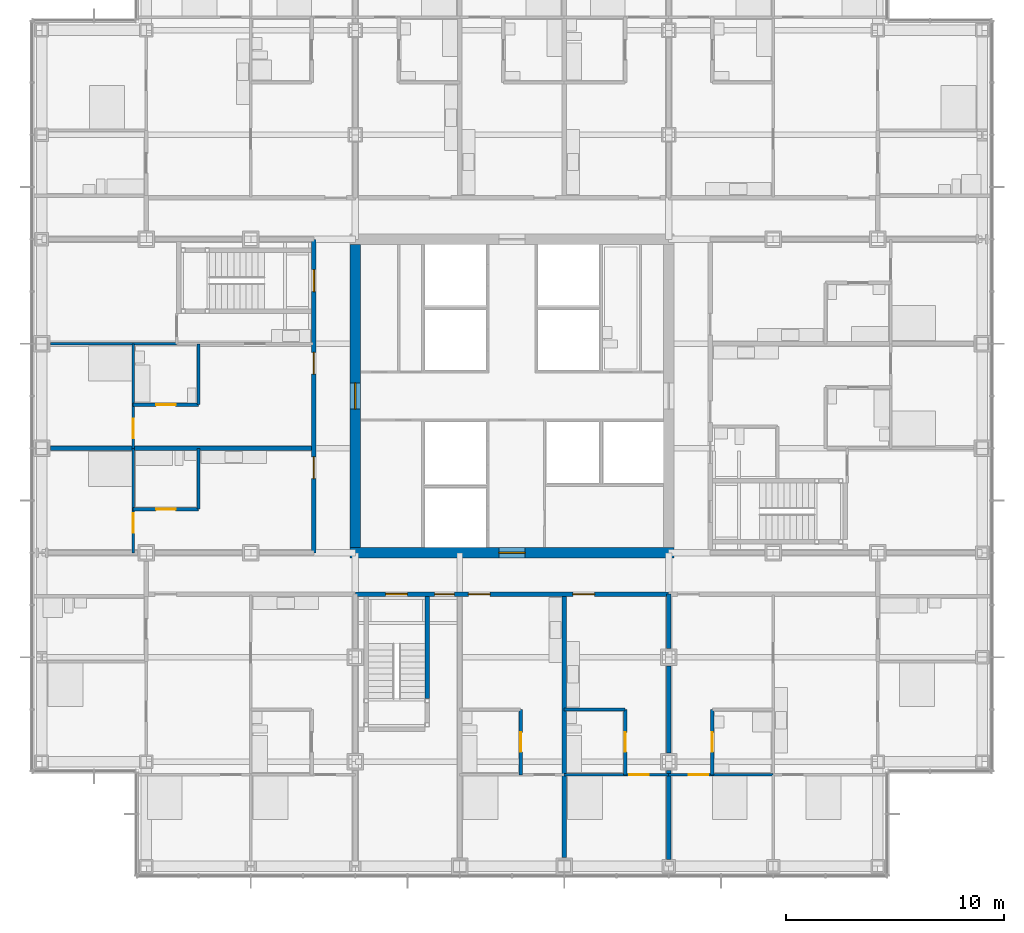
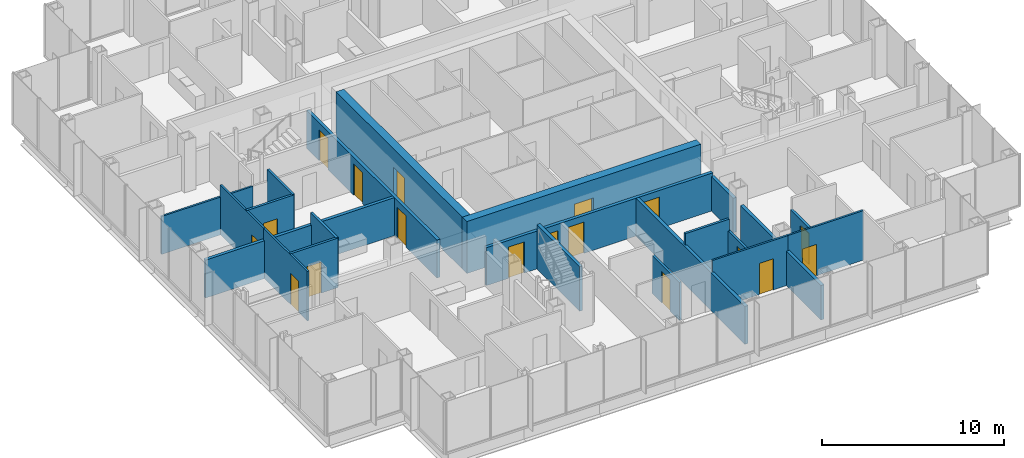
# One storey, part 14 of 21: 23 walls, 18 doors, 18 openings.
"""IFC4 building model written with IfcOpenShell, lengths in metres."""

from ifc_helpers import new_model, si_unit, direction, frame, frame_2d, origin, place, context, subcontext, project, spatial, rectangle, extrude, material, layer, layer_set, type_object, element, fill, save


model = new_model("IFC4")

# Units and contexts
model_context = context("Model", 3, precision=1e-05, world=origin(), true_north=direction((0.0, 1.0)))
body_context = subcontext(model_context, "Body", "Model", "MODEL_VIEW")
ifc_project = project(units=[si_unit("LENGTHUNIT", "METRE"), si_unit("AREAUNIT", "SQUARE_METRE"), si_unit("VOLUMEUNIT", "CUBIC_METRE"), si_unit("PLANEANGLEUNIT", "RADIAN"), si_unit("MASSUNIT", "GRAM", prefix="KILO")], contexts=[model_context])

# Site, building, storey
site_placement = place(None, origin())
site = spatial("IfcSite", under=ifc_project, at=site_placement, CompositionType="ELEMENT")
building_placement = place(site_placement, origin())
building = spatial("IfcBuilding", under=site, at=building_placement, Name="Kvirike Care Tower", CompositionType="ELEMENT")
storey_placement = place(building_placement, frame((0.0, 0.0, 55.0)))
storey = spatial("IfcBuildingStorey", under=building, at=storey_placement, Name="L14", CompositionType="ELEMENT", Elevation=55.0)

# Wall, opening, door
ifc_material_1 = material(Name="Moisture-resistant board partition", Category="gypsum")
ifc_layer_1 = layer(ifc_material_1, 0.14990234375)
ifc_layer_set_1 = layer_set([ifc_layer_1], Name="BATHROOM WALL 150")
wall_type_1 = type_object("IfcWallType", Name="BATHROOM WALL 150", PredefinedType="PARTITIONING", material=ifc_layer_set_1)
wall_1_placement = place(storey_placement, frame((4.199951171875, 35.60009765625, 0.0), z_axis=(0.0, 0.0, 1.0), x_axis=(1.0, 0.0, 0.0)))
wall_1 = element("IfcWall", 1, at=wall_1_placement, inside=storey, type_object=wall_type_1, Name="Bathroom Wall 150 L14", PredefinedType="PARTITIONING", context=body_context, shape_type="SweptSolid", body=[
    extrude(rectangle(XDim=3.0, YDim=0.14990234375, at=frame_2d((1.5, 0.0))), origin(), (0.0, 0.0, 1.0), 3.330078125),
])
opening_1_placement = place(wall_1_placement, frame((1.050048828125, 0.0, 0.0)))
opening_1 = element("IfcOpeningElement", 2, at=opening_1_placement, cuts=wall_1, Name="Opening 14-008", PredefinedType="OPENING", context=body_context, shape_type="SweptSolid", body=[
    extrude(rectangle(XDim=0.89990234375, YDim=2.10009765625, at=frame_2d((0.449951171875, 1.050048828125))), frame((0.0, 0.08544921875, 0.0), z_axis=(0.0, -1.0, 0.0), x_axis=(1.0, 0.0, 0.0)), (0.0, 0.0, 1.0), 0.1708984375),
])
ifc_material_2 = material(Name="Timber door set", Category="wood")
door_type_1 = type_object("IfcDoorType", Name="BATHROOM DOOR 900", OperationType="SINGLE_SWING_RIGHT", PredefinedType="DOOR", material=ifc_material_2)
door_1_placement = place(opening_1_placement, origin())
door_1 = element("IfcDoor", 3, at=door_1_placement, inside=storey, type_object=door_type_1, Name="Bathroom door", OperationType="SINGLE_SWING_LEFT", OverallHeight=2.10009765625, OverallWidth=0.89990234375, PredefinedType="DOOR", context=body_context, shape_type="SweptSolid", body=[
    extrude(rectangle(XDim=0.89990234375, YDim=2.10009765625, at=frame_2d((0.449951171875, 1.050048828125))), frame((0.0, 0.02197265625, 0.0), z_axis=(0.0, -1.0, 0.0), x_axis=(1.0, 0.0, 0.0)), (0.0, 0.0, 1.0), 0.0439453125),
])
fill(opening_1, door_1)

# Wall
wall_2_placement = place(storey_placement, frame((7.199951171875, 38.39990234375, 0.0), z_axis=(0.0, 0.0, 1.0), x_axis=(0.0, -1.0, 0.0)))
element("IfcWall", 4, at=wall_2_placement, inside=storey, type_object=wall_type_1, Name="Bathroom Wall 150 L14", PredefinedType="PARTITIONING", context=body_context, shape_type="SweptSolid", body=[
    extrude(rectangle(XDim=2.7998046875, YDim=0.14990234375, at=frame_2d((1.39990234375, 0.0))), origin(), (0.0, 0.0, 1.0), 3.330078125),
])

# Wall, opening, door
wall_3_placement = place(storey_placement, frame((4.199951171875, 30.800048828125, 0.0), z_axis=(0.0, 0.0, 1.0), x_axis=(1.0, 0.0, 0.0)))
wall_3 = element("IfcWall", 5, at=wall_3_placement, inside=storey, type_object=wall_type_1, Name="Bathroom Wall 150 L14", PredefinedType="PARTITIONING", context=body_context, shape_type="SweptSolid", body=[
    extrude(rectangle(XDim=3.0, YDim=0.14990234375, at=frame_2d((1.5, 0.0))), origin(), (0.0, 0.0, 1.0), 3.330078125),
])
opening_2_placement = place(wall_3_placement, frame((1.050048828125, 0.0, 0.0)))
opening_2 = element("IfcOpeningElement", 6, at=opening_2_placement, cuts=wall_3, Name="Opening 14-012", PredefinedType="OPENING", context=body_context, shape_type="SweptSolid", body=[
    extrude(rectangle(XDim=0.89990234375, YDim=2.10009765625, at=frame_2d((0.449951171875, 1.050048828125))), frame((0.0, 0.08544921875, 0.0), z_axis=(0.0, -1.0, 0.0), x_axis=(1.0, 0.0, 0.0)), (0.0, 0.0, 1.0), 0.1708984375),
])
door_2_placement = place(opening_2_placement, origin())
door_2 = element("IfcDoor", 7, at=door_2_placement, inside=storey, type_object=door_type_1, Name="Bathroom door", OperationType="SINGLE_SWING_LEFT", OverallHeight=2.10009765625, OverallWidth=0.89990234375, PredefinedType="DOOR", context=body_context, shape_type="SweptSolid", body=[
    extrude(rectangle(XDim=0.89990234375, YDim=2.10009765625, at=frame_2d((0.449951171875, 1.050048828125))), frame((0.0, 0.02197265625, 0.0), z_axis=(0.0, -1.0, 0.0), x_axis=(1.0, 0.0, 0.0)), (0.0, 0.0, 1.0), 0.0439453125),
])
fill(opening_2, door_2)

# Wall
wall_4_placement = place(storey_placement, frame((7.199951171875, 33.60009765625, 0.0), z_axis=(0.0, 0.0, 1.0), x_axis=(0.0, -1.0, 0.0)))
element("IfcWall", 8, at=wall_4_placement, inside=storey, type_object=wall_type_1, Name="Bathroom Wall 150 L14", PredefinedType="PARTITIONING", context=body_context, shape_type="SweptSolid", body=[
    extrude(rectangle(XDim=2.800048828125, YDim=0.14990234375, at=frame_2d((1.39990234375, 0.0))), origin(), (0.0, 0.0, 1.0), 3.330078125),
])

# Wall, opening, door
wall_5_placement = place(storey_placement, frame((22.0, 18.60009765625, 0.0), z_axis=(0.0, 0.0, 1.0), x_axis=(0.0, 1.0, 0.0)))
wall_5 = element("IfcWall", 9, at=wall_5_placement, inside=storey, type_object=wall_type_1, Name="Bathroom Wall 150 L14", PredefinedType="PARTITIONING", context=body_context, shape_type="SweptSolid", body=[
    extrude(rectangle(XDim=3.0, YDim=0.14990234375, at=frame_2d((1.5, 0.0))), origin(), (0.0, 0.0, 1.0), 2.550048828125),
])
opening_3_placement = place(wall_5_placement, frame((1.050048828125, 0.0, 0.0)))
opening_3 = element("IfcOpeningElement", 10, at=opening_3_placement, cuts=wall_5, Name="Opening 14-024", PredefinedType="OPENING", context=body_context, shape_type="SweptSolid", body=[
    extrude(rectangle(XDim=0.89990234375, YDim=2.10009765625, at=frame_2d((0.449951171875, 1.050048828125))), frame((0.0, 0.08544921875, 0.0), z_axis=(0.0, -1.0, 0.0), x_axis=(1.0, 0.0, 0.0)), (0.0, 0.0, 1.0), 0.1708984375),
])
door_3_placement = place(opening_3_placement, origin())
door_3 = element("IfcDoor", 11, at=door_3_placement, inside=storey, type_object=door_type_1, Name="Bathroom door", OperationType="SINGLE_SWING_RIGHT", OverallHeight=2.10009765625, OverallWidth=0.89990234375, PredefinedType="DOOR", context=body_context, shape_type="SweptSolid", body=[
    extrude(rectangle(XDim=0.89990234375, YDim=2.10009765625, at=frame_2d((0.449951171875, 1.050048828125))), frame((0.0, 0.02197265625, 0.0), z_axis=(0.0, -1.0, 0.0), x_axis=(1.0, 0.0, 0.0)), (0.0, 0.0, 1.0), 0.0439453125),
])
fill(opening_3, door_3)

wall_6_placement = place(storey_placement, frame((26.800048828125, 18.60009765625, 0.0), z_axis=(0.0, 0.0, 1.0), x_axis=(0.0, 1.0, 0.0)))
wall_6 = element("IfcWall", 12, at=wall_6_placement, inside=storey, type_object=wall_type_1, Name="Bathroom Wall 150 L14", PredefinedType="PARTITIONING", context=body_context, shape_type="SweptSolid", body=[
    extrude(rectangle(XDim=3.0, YDim=0.14990234375, at=frame_2d((1.5, 0.0))), origin(), (0.0, 0.0, 1.0), 2.550048828125),
])
opening_4_placement = place(wall_6_placement, frame((1.050048828125, 0.0, 0.0)))
opening_4 = element("IfcOpeningElement", 13, at=opening_4_placement, cuts=wall_6, Name="Opening 14-026", PredefinedType="OPENING", context=body_context, shape_type="SweptSolid", body=[
    extrude(rectangle(XDim=0.89990234375, YDim=2.10009765625, at=frame_2d((0.449951171875, 1.050048828125))), frame((0.0, 0.08544921875, 0.0), z_axis=(0.0, -1.0, 0.0), x_axis=(1.0, 0.0, 0.0)), (0.0, 0.0, 1.0), 0.1708984375),
])
door_4_placement = place(opening_4_placement, origin())
door_4 = element("IfcDoor", 14, at=door_4_placement, inside=storey, type_object=door_type_1, Name="Bathroom door", OperationType="SINGLE_SWING_LEFT", OverallHeight=2.10009765625, OverallWidth=0.89990234375, PredefinedType="DOOR", context=body_context, shape_type="SweptSolid", body=[
    extrude(rectangle(XDim=0.89990234375, YDim=2.10009765625, at=frame_2d((0.449951171875, 1.050048828125))), frame((0.0, 0.02197265625, 0.0), z_axis=(0.0, -1.0, 0.0), x_axis=(1.0, 0.0, 0.0)), (0.0, 0.0, 1.0), 0.0439453125),
])
fill(opening_4, door_4)

# Wall
wall_7_placement = place(storey_placement, frame((24.0, 21.60009765625, 0.0), z_axis=(0.0, 0.0, 1.0), x_axis=(1.0, 0.0, 0.0)))
element("IfcWall", 15, at=wall_7_placement, inside=storey, type_object=wall_type_1, Name="Bathroom Wall 150 L14", PredefinedType="PARTITIONING", context=body_context, shape_type="SweptSolid", body=[
    extrude(rectangle(XDim=2.800048828125, YDim=0.14990234375, at=frame_2d((1.39990234375, 0.0))), origin(), (0.0, 0.0, 1.0), 3.330078125),
])

# Wall, opening, door
wall_8_placement = place(storey_placement, frame((30.800048828125, 18.60009765625, 0.0), z_axis=(0.0, 0.0, 1.0), x_axis=(0.0, 1.0, 0.0)))
wall_8 = element("IfcWall", 16, at=wall_8_placement, inside=storey, type_object=wall_type_1, Name="Bathroom Wall 150 L14", PredefinedType="PARTITIONING", context=body_context, shape_type="SweptSolid", body=[
    extrude(rectangle(XDim=3.0, YDim=0.14990234375, at=frame_2d((1.5, 0.0))), origin(), (0.0, 0.0, 1.0), 2.550048828125),
])
opening_5_placement = place(wall_8_placement, frame((1.050048828125, 0.0, 0.0)))
opening_5 = element("IfcOpeningElement", 17, at=opening_5_placement, cuts=wall_8, Name="Opening 14-041", PredefinedType="OPENING", context=body_context, shape_type="SweptSolid", body=[
    extrude(rectangle(XDim=0.89990234375, YDim=2.10009765625, at=frame_2d((0.449951171875, 1.050048828125))), frame((0.0, 0.08544921875, 0.0), z_axis=(0.0, -1.0, 0.0), x_axis=(1.0, 0.0, 0.0)), (0.0, 0.0, 1.0), 0.1708984375),
])
door_5_placement = place(opening_5_placement, frame((0.89990234375, 0.0, 0.0), z_axis=(0.0, 0.0, 1.0), x_axis=(-1.0, 0.0, 0.0)))
door_5 = element("IfcDoor", 18, at=door_5_placement, inside=storey, type_object=door_type_1, Name="Shower room door", OperationType="SINGLE_SWING_RIGHT", OverallHeight=2.10009765625, OverallWidth=0.89990234375, PredefinedType="DOOR", context=body_context, shape_type="SweptSolid", body=[
    extrude(rectangle(XDim=0.89990234375, YDim=2.10009765625, at=frame_2d((0.449951171875, 1.050048828125))), frame((0.0, 0.02197265625, 0.0), z_axis=(0.0, -1.0, 0.0), x_axis=(1.0, 0.0, 0.0)), (0.0, 0.0, 1.0), 0.0439453125),
])
fill(opening_5, door_5)

ifc_material_3 = material(Name="Concrete C60/75", Category="concrete")
ifc_layer_2 = layer(ifc_material_3, 0.5)
ifc_layer_set_2 = layer_set([ifc_layer_2], Name="CORE WALL 500 C60-75")
wall_type_2 = type_object("IfcWallType", Name="CORE WALL 500 C60-75", PredefinedType="SHEAR", material=ifc_layer_set_2)
wall_9_placement = place(storey_placement, frame((14.14990234375, 28.800048828125, -0.169921875), z_axis=(0.0, 0.0, 1.0), x_axis=(1.0, 0.0, 0.0)))
wall_9 = element("IfcWall", 19, at=wall_9_placement, inside=storey, type_object=wall_type_2, Name="Core wall S L14", PredefinedType="SHEAR", context=body_context, shape_type="SweptSolid", body=[
    extrude(rectangle(XDim=14.900146484375, YDim=0.5, at=frame_2d((7.4501953125, 0.0))), origin(), (0.0, 0.0, 1.0), 3.5),
])
opening_6_placement = place(wall_9_placement, frame((6.85009765625, 0.0, 0.169921875)))
opening_6 = element("IfcOpeningElement", 20, at=opening_6_placement, cuts=wall_9, Name="Opening 14-075", PredefinedType="OPENING", context=body_context, shape_type="SweptSolid", body=[
    extrude(rectangle(XDim=1.199951171875, YDim=2.10009765625, at=frame_2d((0.60009765625, 1.050048828125))), frame((0.0, 0.260498046875, 0.0), z_axis=(0.0, -1.0, 0.0), x_axis=(1.0, 0.0, 0.0)), (0.0, 0.0, 1.0), 0.52099609375),
])
ifc_material_4 = material(Name="Timber door set", Category="wood")
door_type_2 = type_object("IfcDoorType", Name="CORE DOOR 1200", OperationType="SINGLE_SWING_LEFT", PredefinedType="DOOR", material=ifc_material_4)
door_6_placement = place(opening_6_placement, origin())
door_6 = element("IfcDoor", 21, at=door_6_placement, inside=storey, type_object=door_type_2, Name="Core door S L14", OperationType="SINGLE_SWING_LEFT", OverallHeight=2.10009765625, OverallWidth=1.199951171875, PredefinedType="DOOR", context=body_context, shape_type="SweptSolid", body=[
    extrude(rectangle(XDim=1.199951171875, YDim=2.10009765625, at=frame_2d((0.60009765625, 1.050048828125))), frame((0.0, 0.02685546875, 0.0), z_axis=(0.0, -1.0, 0.0), x_axis=(1.0, 0.0, 0.0)), (0.0, 0.0, 1.0), 0.053955078125),
])
fill(opening_6, door_6)

wall_10_placement = place(storey_placement, frame((14.39990234375, 42.949951171875, -0.169921875), z_axis=(0.0, 0.0, 1.0), x_axis=(0.0, -1.0, 0.0)))
wall_10 = element("IfcWall", 22, at=wall_10_placement, inside=storey, type_object=wall_type_2, Name="Core wall W L14", PredefinedType="SHEAR", context=body_context, shape_type="SweptSolid", body=[
    extrude(rectangle(XDim=13.89990234375, YDim=0.5, at=frame_2d((6.949951171875, 0.0))), origin(), (0.0, 0.0, 1.0), 3.5),
])
opening_7_placement = place(wall_10_placement, frame((6.35009765625, 0.0, 0.169921875)))
opening_7 = element("IfcOpeningElement", 23, at=opening_7_placement, cuts=wall_10, Name="Opening 14-076", PredefinedType="OPENING", context=body_context, shape_type="SweptSolid", body=[
    extrude(rectangle(XDim=1.199951171875, YDim=2.10009765625, at=frame_2d((0.60009765625, 1.050048828125))), frame((0.0, 0.260498046875, 0.0), z_axis=(0.0, -1.0, 0.0), x_axis=(1.0, 0.0, 0.0)), (0.0, 0.0, 1.0), 0.52099609375),
])
door_7_placement = place(opening_7_placement, origin())
door_7 = element("IfcDoor", 24, at=door_7_placement, inside=storey, type_object=door_type_2, Name="Core door W L14", OperationType="SINGLE_SWING_LEFT", OverallHeight=2.10009765625, OverallWidth=1.199951171875, PredefinedType="DOOR", context=body_context, shape_type="SweptSolid", body=[
    extrude(rectangle(XDim=1.199951171875, YDim=2.10009765625, at=frame_2d((0.60009765625, 1.050048828125))), frame((0.0, 0.02685546875, 0.0), z_axis=(0.0, -1.0, 0.0), x_axis=(1.0, 0.0, 0.0)), (0.0, 0.0, 1.0), 0.053955078125),
])
fill(opening_7, door_7)

# Wall, openings, doors
ifc_material_5 = material(Name="Plasterboard corridor wall", Category="gypsum")
ifc_layer_3 = layer(ifc_material_5, 0.199951171875)
ifc_layer_set_3 = layer_set([ifc_layer_3], Name="CORRIDOR WALL 200")
wall_type_3 = type_object("IfcWallType", Name="CORRIDOR WALL 200", PredefinedType="PARTITIONING", material=ifc_layer_set_3)
wall_11_placement = place(storey_placement, frame((12.5, 43.199951171875, 0.0), z_axis=(0.0, 0.0, 1.0), x_axis=(0.0, -1.0, 0.0)))
wall_11 = element("IfcWall", 25, at=wall_11_placement, inside=storey, type_object=wall_type_3, Name="Corridor Wall 200 L14", PredefinedType="PARTITIONING", context=body_context, shape_type="SweptSolid", body=[
    extrude(rectangle(XDim=14.39990234375, YDim=0.199951171875, at=frame_2d((7.199951171875, 0.0))), origin(), (0.0, 0.0, 1.0), 2.550048828125),
])
opening_8_placement = place(wall_11_placement, frame((1.39990234375, 0.0, 0.0)))
opening_8 = element("IfcOpeningElement", 26, at=opening_8_placement, cuts=wall_11, Name="Opening 14-014", PredefinedType="OPENING", context=body_context, shape_type="SweptSolid", body=[
    extrude(rectangle(XDim=1.0, YDim=2.10009765625, at=frame_2d((0.5, 1.050048828125))), frame((0.0, 0.110595703125, 0.0), z_axis=(0.0, -1.0, 0.0), x_axis=(1.0, 0.0, 0.0)), (0.0, 0.0, 1.0), 0.220947265625),
])
opening_9_placement = place(wall_11_placement, frame((5.199951171875, 0.0, 0.0)))
opening_9 = element("IfcOpeningElement", 27, at=opening_9_placement, cuts=wall_11, Name="Opening 14-015", PredefinedType="OPENING", context=body_context, shape_type="SweptSolid", body=[
    extrude(rectangle(XDim=1.0, YDim=2.10009765625, at=frame_2d((0.5, 1.050048828125))), frame((0.0, 0.110595703125, 0.0), z_axis=(0.0, -1.0, 0.0), x_axis=(1.0, 0.0, 0.0)), (0.0, 0.0, 1.0), 0.220947265625),
])
opening_10_placement = place(wall_11_placement, frame((10.0, 0.0, 0.0)))
opening_10 = element("IfcOpeningElement", 28, at=opening_10_placement, cuts=wall_11, Name="Opening 14-016", PredefinedType="OPENING", context=body_context, shape_type="SweptSolid", body=[
    extrude(rectangle(XDim=1.0, YDim=2.10009765625, at=frame_2d((0.5, 1.050048828125))), frame((0.0, 0.110595703125, 0.0), z_axis=(0.0, -1.0, 0.0), x_axis=(1.0, 0.0, 0.0)), (0.0, 0.0, 1.0), 0.220947265625),
])
ifc_material_6 = material(Name="Timber door set", Category="wood")
door_type_3 = type_object("IfcDoorType", Name="FLAT ENTRANCE DOOR 1000", OperationType="SINGLE_SWING_LEFT", PredefinedType="DOOR", material=ifc_material_6)
door_8_placement = place(opening_9_placement, frame((1.0, 0.0, 0.0), z_axis=(0.0, 0.0, 1.0), x_axis=(-1.0, 0.0, 0.0)))
door_8 = element("IfcDoor", 29, at=door_8_placement, inside=storey, type_object=door_type_3, Name="One-bedroom apartment entrance", OperationType="SINGLE_SWING_LEFT", OverallHeight=2.10009765625, OverallWidth=1.0, PredefinedType="DOOR", context=body_context, shape_type="SweptSolid", body=[
    extrude(rectangle(XDim=1.0, YDim=2.10009765625, at=frame_2d((0.5, 1.050048828125))), frame((0.0, 0.02685546875, 0.0), z_axis=(0.0, -1.0, 0.0), x_axis=(1.0, 0.0, 0.0)), (0.0, 0.0, 1.0), 0.053955078125),
])
fill(opening_9, door_8)
door_9_placement = place(opening_10_placement, frame((1.0, 0.0, 0.0), z_axis=(0.0, 0.0, 1.0), x_axis=(-1.0, 0.0, 0.0)))
door_9 = element("IfcDoor", 30, at=door_9_placement, inside=storey, type_object=door_type_3, Name="Studio apartment entrance", OperationType="SINGLE_SWING_LEFT", OverallHeight=2.10009765625, OverallWidth=1.0, PredefinedType="DOOR", context=body_context, shape_type="SweptSolid", body=[
    extrude(rectangle(XDim=1.0, YDim=2.10009765625, at=frame_2d((0.5, 1.050048828125))), frame((0.0, 0.02685546875, 0.0), z_axis=(0.0, -1.0, 0.0), x_axis=(1.0, 0.0, 0.0)), (0.0, 0.0, 1.0), 0.053955078125),
])
fill(opening_10, door_9)
ifc_material_7 = material(Name="Timber door set", Category="wood")
door_type_4 = type_object("IfcDoorType", Name="STAIR DOOR 1000", OperationType="SINGLE_SWING_LEFT", PredefinedType="DOOR", material=ifc_material_7)
door_10_placement = place(opening_8_placement, frame((1.0, 0.0, 0.0), z_axis=(0.0, 0.0, 1.0), x_axis=(-1.0, 0.0, 0.0)))
door_10 = element("IfcDoor", 31, at=door_10_placement, inside=storey, type_object=door_type_4, Name="Stair 1 door", OperationType="SINGLE_SWING_RIGHT", OverallHeight=2.10009765625, OverallWidth=1.0, PredefinedType="DOOR", context=body_context, shape_type="SweptSolid", body=[
    extrude(rectangle(XDim=1.0, YDim=2.10009765625, at=frame_2d((0.5, 1.050048828125))), frame((0.0, 0.031982421875, 0.0), z_axis=(0.0, -1.0, 0.0), x_axis=(1.0, 0.0, 0.0)), (0.0, 0.0, 1.0), 0.06396484375),
])
fill(opening_8, door_10)

wall_12_placement = place(storey_placement, frame((14.39990234375, 26.89990234375, 0.0), z_axis=(0.0, 0.0, 1.0), x_axis=(1.0, 0.0, 0.0)))
wall_12 = element("IfcWall", 32, at=wall_12_placement, inside=storey, type_object=wall_type_3, Name="Corridor Wall 200 L14", PredefinedType="PARTITIONING", context=body_context, shape_type="SweptSolid", body=[
    extrude(rectangle(XDim=14.400146484375, YDim=0.199951171875, at=frame_2d((7.2001953125, 0.0))), origin(), (0.0, 0.0, 1.0), 2.550048828125),
])
opening_11_placement = place(wall_12_placement, frame((1.39990234375, 0.0, 0.0)))
opening_11 = element("IfcOpeningElement", 33, at=opening_11_placement, cuts=wall_12, Name="Opening 14-028", PredefinedType="OPENING", context=body_context, shape_type="SweptSolid", body=[
    extrude(rectangle(XDim=1.0, YDim=2.10009765625, at=frame_2d((0.5, 1.050048828125))), frame((0.0, 0.110595703125, 0.0), z_axis=(0.0, -1.0, 0.0), x_axis=(1.0, 0.0, 0.0)), (0.0, 0.0, 1.0), 0.220947265625),
])
opening_12_placement = place(wall_12_placement, frame((3.64990234375, 0.0, 0.0)))
opening_12 = element("IfcOpeningElement", 34, at=opening_12_placement, cuts=wall_12, Name="Opening 14-029", PredefinedType="OPENING", context=body_context, shape_type="SweptSolid", body=[
    extrude(rectangle(XDim=0.89990234375, YDim=2.10009765625, at=frame_2d((0.449951171875, 1.050048828125))), frame((0.0, 0.110595703125, 0.0), z_axis=(0.0, -1.0, 0.0), x_axis=(1.0, 0.0, 0.0)), (0.0, 0.0, 1.0), 0.220947265625),
])
opening_13_placement = place(wall_12_placement, frame((5.199951171875, 0.0, 0.0)))
opening_13 = element("IfcOpeningElement", 35, at=opening_13_placement, cuts=wall_12, Name="Opening 14-030", PredefinedType="OPENING", context=body_context, shape_type="SweptSolid", body=[
    extrude(rectangle(XDim=1.0, YDim=2.10009765625, at=frame_2d((0.5, 1.050048828125))), frame((0.0, 0.110595703125, 0.0), z_axis=(0.0, -1.0, 0.0), x_axis=(1.0, 0.0, 0.0)), (0.0, 0.0, 1.0), 0.220947265625),
])
opening_14_placement = place(wall_12_placement, frame((10.0, 0.0, 0.0)))
opening_14 = element("IfcOpeningElement", 36, at=opening_14_placement, cuts=wall_12, Name="Opening 14-031", PredefinedType="OPENING", context=body_context, shape_type="SweptSolid", body=[
    extrude(rectangle(XDim=1.0, YDim=2.10009765625, at=frame_2d((0.5, 1.050048828125))), frame((0.0, 0.110595703125, 0.0), z_axis=(0.0, -1.0, 0.0), x_axis=(1.0, 0.0, 0.0)), (0.0, 0.0, 1.0), 0.220947265625),
])
door_11_placement = place(opening_13_placement, frame((1.0, 0.0, 0.0), z_axis=(0.0, 0.0, 1.0), x_axis=(-1.0, 0.0, 0.0)))
door_11 = element("IfcDoor", 37, at=door_11_placement, inside=storey, type_object=door_type_3, Name="Studio apartment entrance", OperationType="SINGLE_SWING_LEFT", OverallHeight=2.10009765625, OverallWidth=1.0, PredefinedType="DOOR", context=body_context, shape_type="SweptSolid", body=[
    extrude(rectangle(XDim=1.0, YDim=2.10009765625, at=frame_2d((0.5, 1.050048828125))), frame((0.0, 0.02685546875, 0.0), z_axis=(0.0, -1.0, 0.0), x_axis=(1.0, 0.0, 0.0)), (0.0, 0.0, 1.0), 0.053955078125),
])
fill(opening_13, door_11)
door_12_placement = place(opening_14_placement, frame((1.0, 0.0, 0.0), z_axis=(0.0, 0.0, 1.0), x_axis=(-1.0, 0.0, 0.0)))
door_12 = element("IfcDoor", 38, at=door_12_placement, inside=storey, type_object=door_type_3, Name="Studio apartment entrance", OperationType="SINGLE_SWING_LEFT", OverallHeight=2.10009765625, OverallWidth=1.0, PredefinedType="DOOR", context=body_context, shape_type="SweptSolid", body=[
    extrude(rectangle(XDim=1.0, YDim=2.10009765625, at=frame_2d((0.5, 1.050048828125))), frame((0.0, 0.02685546875, 0.0), z_axis=(0.0, -1.0, 0.0), x_axis=(1.0, 0.0, 0.0)), (0.0, 0.0, 1.0), 0.053955078125),
])
fill(opening_14, door_12)
door_13_placement = place(opening_11_placement, frame((1.0, 0.0, 0.0), z_axis=(0.0, 0.0, 1.0), x_axis=(-1.0, 0.0, 0.0)))
door_13 = element("IfcDoor", 39, at=door_13_placement, inside=storey, type_object=door_type_4, Name="Stair 5 door", OperationType="SINGLE_SWING_RIGHT", OverallHeight=2.10009765625, OverallWidth=1.0, PredefinedType="DOOR", context=body_context, shape_type="SweptSolid", body=[
    extrude(rectangle(XDim=1.0, YDim=2.10009765625, at=frame_2d((0.5, 1.050048828125))), frame((0.0, 0.031982421875, 0.0), z_axis=(0.0, -1.0, 0.0), x_axis=(1.0, 0.0, 0.0)), (0.0, 0.0, 1.0), 0.06396484375),
])
fill(opening_11, door_13)
ifc_material_8 = material(Name="Timber door set", Category="wood")
door_type_5 = type_object("IfcDoorType", Name="STORE DOOR 900", OperationType="SINGLE_SWING_LEFT", PredefinedType="DOOR", material=ifc_material_8)
door_14_placement = place(opening_12_placement, frame((0.89990234375, 0.0, 0.0), z_axis=(0.0, 0.0, 1.0), x_axis=(-1.0, 0.0, 0.0)))
door_14 = element("IfcDoor", 40, at=door_14_placement, inside=storey, type_object=door_type_5, Name="Housekeeping room door", OperationType="SINGLE_SWING_RIGHT", OverallHeight=2.10009765625, OverallWidth=0.89990234375, PredefinedType="DOOR", context=body_context, shape_type="SweptSolid", body=[
    extrude(rectangle(XDim=0.89990234375, YDim=2.10009765625, at=frame_2d((0.449951171875, 1.050048828125))), frame((0.0, 0.02685546875, 0.0), z_axis=(0.0, -1.0, 0.0), x_axis=(1.0, 0.0, 0.0)), (0.0, 0.0, 1.0), 0.053955078125),
])
fill(opening_12, door_14)

# Wall, opening, door
ifc_material_9 = material(Name="Plasterboard partition", Category="gypsum")
ifc_layer_4 = layer(ifc_material_9, 0.1201171875)
ifc_layer_set_4 = layer_set([ifc_layer_4], Name="PARTITION 120")
wall_type_4 = type_object("IfcWallType", Name="PARTITION 120", PredefinedType="PARTITIONING", material=ifc_layer_set_4)
wall_13_placement = place(storey_placement, frame((4.199951171875, 38.39990234375, 0.0), z_axis=(0.0, 0.0, 1.0), x_axis=(0.0, -1.0, 0.0)))
wall_13 = element("IfcWall", 41, at=wall_13_placement, inside=storey, type_object=wall_type_4, Name="Partition 120 L14", PredefinedType="PARTITIONING", context=body_context, shape_type="SweptSolid", body=[
    extrude(rectangle(XDim=4.7998046875, YDim=0.1201171875, at=frame_2d((2.39990234375, 0.0))), origin(), (0.0, 0.0, 1.0), 3.330078125),
])
opening_15_placement = place(wall_13_placement, frame((3.449951171875, 0.0, 0.0)))
opening_15 = element("IfcOpeningElement", 42, at=opening_15_placement, cuts=wall_13, Name="Opening 14-011", PredefinedType="OPENING", context=body_context, shape_type="SweptSolid", body=[
    extrude(rectangle(XDim=0.89990234375, YDim=2.10009765625, at=frame_2d((0.449951171875, 1.050048828125))), frame((0.0, 0.070556640625, 0.0), z_axis=(0.0, -1.0, 0.0), x_axis=(1.0, 0.0, 0.0)), (0.0, 0.0, 1.0), 0.14111328125),
])
ifc_material_10 = material(Name="Timber door set", Category="wood")
door_type_6 = type_object("IfcDoorType", Name="INTERNAL DOOR 900", OperationType="SINGLE_SWING_LEFT", PredefinedType="DOOR", material=ifc_material_10)
door_15_placement = place(opening_15_placement, frame((0.89990234375, 0.0, 0.0), z_axis=(0.0, 0.0, 1.0), x_axis=(-1.0, 0.0, 0.0)))
door_15 = element("IfcDoor", 43, at=door_15_placement, inside=storey, type_object=door_type_6, Name="Apartment bedroom door", OperationType="SINGLE_SWING_RIGHT", OverallHeight=2.10009765625, OverallWidth=0.89990234375, PredefinedType="DOOR", context=body_context, shape_type="SweptSolid", body=[
    extrude(rectangle(XDim=0.89990234375, YDim=2.10009765625, at=frame_2d((0.449951171875, 1.050048828125))), frame((0.0, 0.02197265625, 0.0), z_axis=(0.0, -1.0, 0.0), x_axis=(1.0, 0.0, 0.0)), (0.0, 0.0, 1.0), 0.0439453125),
])
fill(opening_15, door_15)

# Wall
wall_14_placement = place(storey_placement, frame((0.39501953125, 38.39990234375, 0.0), z_axis=(0.0, 0.0, 1.0), x_axis=(1.0, 0.0, 0.0)))
element("IfcWall", 44, at=wall_14_placement, inside=storey, type_object=wall_type_4, Name="Partition 120 L14", PredefinedType="PARTITIONING", context=body_context, shape_type="SweptSolid", body=[
    extrude(rectangle(XDim=5.804931640625, YDim=0.1201171875, at=frame_2d((2.90234375, 0.0))), origin(), (0.0, 0.0, 1.0), 2.550048828125),
])

# Wall, opening, door
wall_15_placement = place(storey_placement, frame((4.199951171875, 33.60009765625, 0.0), z_axis=(0.0, 0.0, 1.0), x_axis=(0.0, -1.0, 0.0)))
wall_15 = element("IfcWall", 45, at=wall_15_placement, inside=storey, type_object=wall_type_4, Name="Partition 120 L14", PredefinedType="PARTITIONING", context=body_context, shape_type="SweptSolid", body=[
    extrude(rectangle(XDim=4.800048828125, YDim=0.1201171875, at=frame_2d((2.39990234375, 0.0))), origin(), (0.0, 0.0, 1.0), 3.330078125),
])
opening_16_placement = place(wall_15_placement, frame((2.97509765625, 0.0, 0.0)))
opening_16 = element("IfcOpeningElement", 46, at=opening_16_placement, cuts=wall_15, Name="Opening 14-013", PredefinedType="OPENING", context=body_context, shape_type="SweptSolid", body=[
    extrude(rectangle(XDim=0.89990234375, YDim=2.10009765625, at=frame_2d((0.449951171875, 1.050048828125))), frame((0.0, 0.070556640625, 0.0), z_axis=(0.0, -1.0, 0.0), x_axis=(1.0, 0.0, 0.0)), (0.0, 0.0, 1.0), 0.14111328125),
])
door_16_placement = place(opening_16_placement, frame((0.89990234375, 0.0, 0.0), z_axis=(0.0, 0.0, 1.0), x_axis=(-1.0, 0.0, 0.0)))
door_16 = element("IfcDoor", 47, at=door_16_placement, inside=storey, type_object=door_type_6, Name="Studio apartment living room door", OperationType="SINGLE_SWING_RIGHT", OverallHeight=2.10009765625, OverallWidth=0.89990234375, PredefinedType="DOOR", context=body_context, shape_type="SweptSolid", body=[
    extrude(rectangle(XDim=0.89990234375, YDim=2.10009765625, at=frame_2d((0.449951171875, 1.050048828125))), frame((0.0, 0.02197265625, 0.0), z_axis=(0.0, -1.0, 0.0), x_axis=(1.0, 0.0, 0.0)), (0.0, 0.0, 1.0), 0.0439453125),
])
fill(opening_16, door_16)

wall_16_placement = place(storey_placement, frame((24.0, 18.60009765625, 0.0), z_axis=(0.0, 0.0, 1.0), x_axis=(1.0, 0.0, 0.0)))
wall_16 = element("IfcWall", 48, at=wall_16_placement, inside=storey, type_object=wall_type_4, Name="Partition 120 L14", PredefinedType="PARTITIONING", context=body_context, shape_type="SweptSolid", body=[
    extrude(rectangle(XDim=4.800048828125, YDim=0.1201171875, at=frame_2d((2.39990234375, 0.0))), origin(), (0.0, 0.0, 1.0), 3.330078125),
])
opening_17_placement = place(wall_16_placement, frame((2.97509765625, 0.0, 0.0)))
opening_17 = element("IfcOpeningElement", 49, at=opening_17_placement, cuts=wall_16, Name="Opening 14-027", PredefinedType="OPENING", context=body_context, shape_type="SweptSolid", body=[
    extrude(rectangle(XDim=0.89990234375, YDim=2.10009765625, at=frame_2d((0.449951171875, 1.050048828125))), frame((0.0, 0.070556640625, 0.0), z_axis=(0.0, -1.0, 0.0), x_axis=(1.0, 0.0, 0.0)), (0.0, 0.0, 1.0), 0.14111328125),
])
door_17_placement = place(opening_17_placement, frame((0.89990234375, 0.0, 0.0), z_axis=(0.0, 0.0, 1.0), x_axis=(-1.0, 0.0, 0.0)))
door_17 = element("IfcDoor", 50, at=door_17_placement, inside=storey, type_object=door_type_6, Name="Studio apartment living room door", OperationType="SINGLE_SWING_RIGHT", OverallHeight=2.10009765625, OverallWidth=0.89990234375, PredefinedType="DOOR", context=body_context, shape_type="SweptSolid", body=[
    extrude(rectangle(XDim=0.89990234375, YDim=2.10009765625, at=frame_2d((0.449951171875, 1.050048828125))), frame((0.0, 0.02197265625, 0.0), z_axis=(0.0, -1.0, 0.0), x_axis=(1.0, 0.0, 0.0)), (0.0, 0.0, 1.0), 0.0439453125),
])
fill(opening_17, door_17)

wall_17_placement = place(storey_placement, frame((28.800048828125, 18.60009765625, 0.0), z_axis=(0.0, 0.0, 1.0), x_axis=(1.0, 0.0, 0.0)))
wall_17 = element("IfcWall", 51, at=wall_17_placement, inside=storey, type_object=wall_type_4, Name="Partition 120 L14", PredefinedType="PARTITIONING", context=body_context, shape_type="SweptSolid", body=[
    extrude(rectangle(XDim=4.800048828125, YDim=0.1201171875, at=frame_2d((2.39990234375, 0.0))), origin(), (0.0, 0.0, 1.0), 3.330078125),
])
opening_18_placement = place(wall_17_placement, frame((0.925048828125, 0.0, 0.0)))
opening_18 = element("IfcOpeningElement", 52, at=opening_18_placement, cuts=wall_17, Name="Opening 14-044", PredefinedType="OPENING", context=body_context, shape_type="SweptSolid", body=[
    extrude(rectangle(XDim=0.89990234375, YDim=2.10009765625, at=frame_2d((0.449951171875, 1.050048828125))), frame((0.0, 0.070556640625, 0.0), z_axis=(0.0, -1.0, 0.0), x_axis=(1.0, 0.0, 0.0)), (0.0, 0.0, 1.0), 0.14111328125),
])
door_18_placement = place(opening_18_placement, frame((0.89990234375, 0.0, 0.0), z_axis=(0.0, 0.0, 1.0), x_axis=(-1.0, 0.0, 0.0)))
door_18 = element("IfcDoor", 53, at=door_18_placement, inside=storey, type_object=door_type_6, Name="Apartment bedroom door", OperationType="SINGLE_SWING_RIGHT", OverallHeight=2.10009765625, OverallWidth=0.89990234375, PredefinedType="DOOR", context=body_context, shape_type="SweptSolid", body=[
    extrude(rectangle(XDim=0.89990234375, YDim=2.10009765625, at=frame_2d((0.449951171875, 1.050048828125))), frame((0.0, 0.02197265625, 0.0), z_axis=(0.0, -1.0, 0.0), x_axis=(1.0, 0.0, 0.0)), (0.0, 0.0, 1.0), 0.0439453125),
])
fill(opening_18, door_18)

# Walls
ifc_material_11 = material(Name="Plasterboard party wall", Category="gypsum")
ifc_layer_5 = layer(ifc_material_11, 0.199951171875)
ifc_layer_set_5 = layer_set([ifc_layer_5], Name="PARTY WALL 200")
wall_type_5 = type_object("IfcWallType", Name="PARTY WALL 200", PredefinedType="PARTITIONING", material=ifc_layer_set_5)
wall_18_placement = place(storey_placement, frame((0.39501953125, 33.60009765625, 0.0), z_axis=(0.0, 0.0, 1.0), x_axis=(1.0, 0.0, 0.0)))
element("IfcWall", 54, at=wall_18_placement, inside=storey, type_object=wall_type_5, Name="Party Wall 200 L14", PredefinedType="PARTITIONING", context=body_context, shape_type="SweptSolid", body=[
    extrude(rectangle(XDim=12.0048828125, YDim=0.199951171875, at=frame_2d((6.00244140625, 0.0))), origin(), (0.0, 0.0, 1.0), 2.550048828125),
])
wall_19_placement = place(storey_placement, frame((24.0, 14.794921875, 0.0), z_axis=(0.0, 0.0, 1.0), x_axis=(0.0, 1.0, 0.0)))
element("IfcWall", 55, at=wall_19_placement, inside=storey, type_object=wall_type_5, Name="Party Wall 200 L14", PredefinedType="PARTITIONING", context=body_context, shape_type="SweptSolid", body=[
    extrude(rectangle(XDim=12.005126953125, YDim=0.199951171875, at=frame_2d((6.00244140625, 0.0))), origin(), (0.0, 0.0, 1.0), 2.550048828125),
])
wall_20_placement = place(storey_placement, frame((28.800048828125, 14.719970703125, 0.0), z_axis=(0.0, 0.0, 1.0), x_axis=(0.0, 1.0, 0.0)))
element("IfcWall", 56, at=wall_20_placement, inside=storey, type_object=wall_type_5, Name="Party Wall 200 L14", PredefinedType="PARTITIONING", context=body_context, shape_type="SweptSolid", body=[
    extrude(rectangle(XDim=4.0849609375, YDim=0.199951171875, at=frame_2d((2.04248046875, 0.0))), origin(), (0.0, 0.0, 1.0), 2.320068359375),
])
wall_21_placement = place(storey_placement, frame((28.800048828125, 19.594970703125, 0.0), z_axis=(0.0, 0.0, 1.0), x_axis=(0.0, 1.0, 0.0)))
element("IfcWall", 57, at=wall_21_placement, inside=storey, type_object=wall_type_5, Name="Party Wall 200 L14", PredefinedType="PARTITIONING", context=body_context, shape_type="SweptSolid", body=[
    extrude(rectangle(XDim=4.010009765625, YDim=0.199951171875, at=frame_2d((2.0048828125, 0.0))), origin(), (0.0, 0.0, 1.0), 2.320068359375),
])
wall_22_placement = place(storey_placement, frame((28.800048828125, 24.39501953125, 0.0), z_axis=(0.0, 0.0, 1.0), x_axis=(0.0, 1.0, 0.0)))
element("IfcWall", 58, at=wall_22_placement, inside=storey, type_object=wall_type_5, Name="Party Wall 200 L14", PredefinedType="PARTITIONING", context=body_context, shape_type="SweptSolid", body=[
    extrude(rectangle(XDim=2.5048828125, YDim=0.199951171875, at=frame_2d((1.25244140625, 0.0))), origin(), (0.0, 0.0, 1.0), 2.320068359375),
])
ifc_material_12 = material(Name="Concrete C40/50", Category="concrete")
ifc_layer_6 = layer(ifc_material_12, 0.199951171875)
ifc_layer_set_6 = layer_set([ifc_layer_6], Name="STAIR WALL 200")
wall_type_6 = type_object("IfcWallType", Name="STAIR WALL 200", PredefinedType="SOLIDWALL", material=ifc_layer_set_6)
wall_23_placement = place(storey_placement, frame((17.699951171875, 22.10009765625, 0.0), z_axis=(0.0, 0.0, 1.0), x_axis=(0.0, 1.0, 0.0)))
element("IfcWall", 59, at=wall_23_placement, inside=storey, type_object=wall_type_6, Name="Stair Wall 200 L14", PredefinedType="SOLIDWALL", context=body_context, shape_type="SweptSolid", body=[
    extrude(rectangle(XDim=4.699951171875, YDim=0.199951171875, at=frame_2d((2.35009765625, 0.0))), origin(), (0.0, 0.0, 1.0), 2.989990234375),
])

save(model, "model.ifc")
